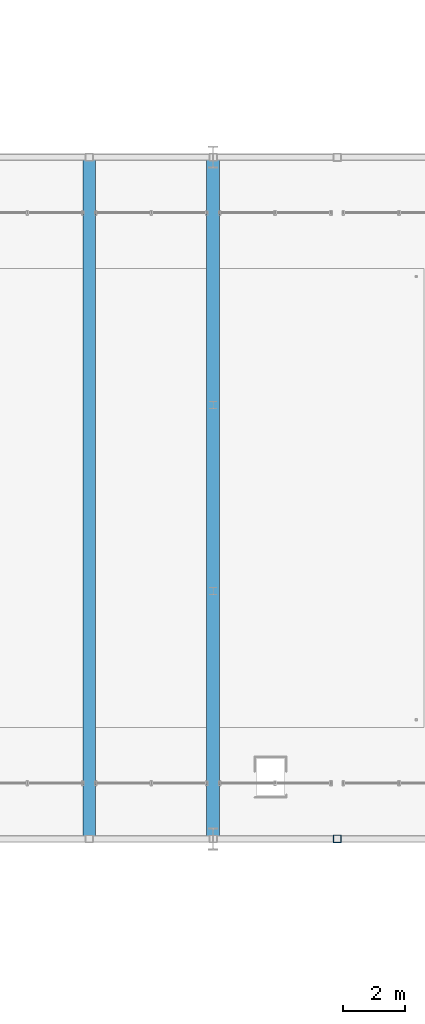
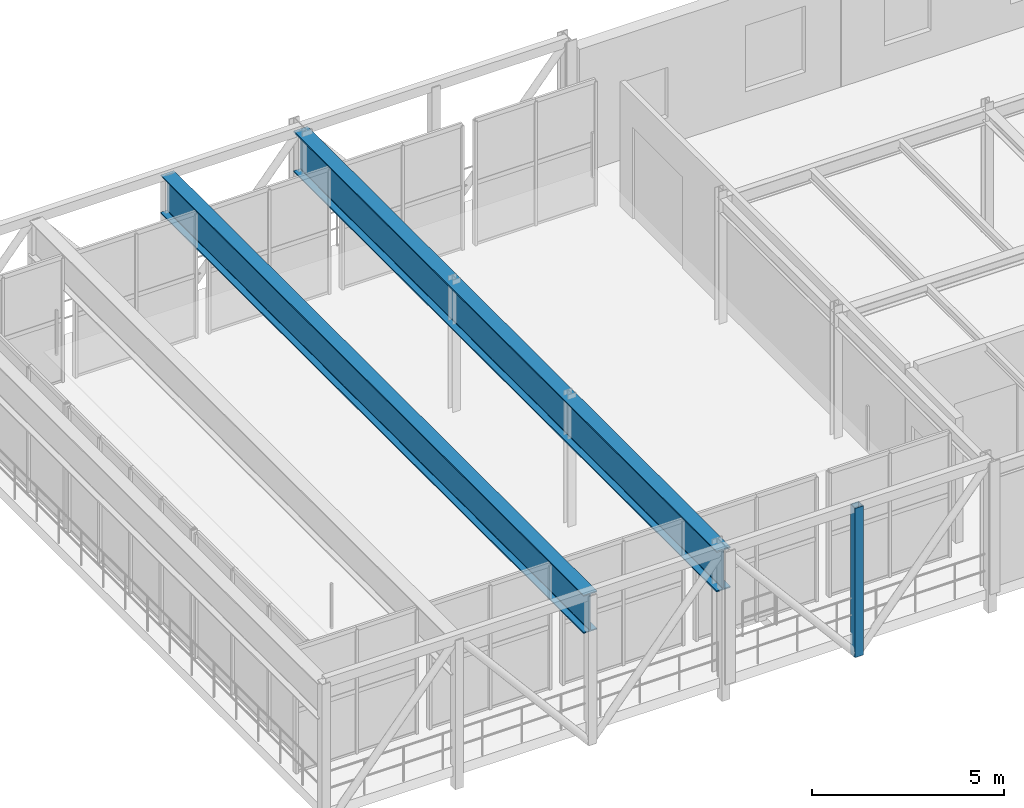
# One storey, part 27 of 124: 2 beams, 1 member.
"""IFC4 building model written with IfcOpenShell, lengths in metres."""

from ifc_helpers import new_model, si_unit, direction, frame, origin, origin_2d, place, context, subcontext, project, spatial, hollow_rectangle, i_section, extrude, material, material_profile, profile_set, type_object, element, save


model = new_model("IFC4")

# Units and contexts
model_context = context("Model", 3, precision=1e-05, world=origin(), true_north=direction((0.0, 1.0)))
body_context = subcontext(model_context, "Body", "Model", "MODEL_VIEW")
ifc_project = project(units=[si_unit("LENGTHUNIT", "METRE"), si_unit("AREAUNIT", "SQUARE_METRE"), si_unit("VOLUMEUNIT", "CUBIC_METRE"), si_unit("PLANEANGLEUNIT", "RADIAN"), si_unit("MASSUNIT", "GRAM", prefix="KILO")], contexts=[model_context])

# Site, building, storey
site_placement = place(None, origin())
site = spatial("IfcSite", under=ifc_project, at=site_placement, CompositionType="ELEMENT")
building_placement = place(site_placement, origin())
building = spatial("IfcBuilding", under=site, at=building_placement, Name="Sundkrona Museum", CompositionType="ELEMENT")
storey_placement = place(building_placement, frame((0.0, 0.0, 17.60009765625)))
storey = spatial("IfcBuildingStorey", under=building, at=storey_placement, Name="L03", CompositionType="ELEMENT", Elevation=17.60009765625)

# Member
ifc_material = material(Name="Steel S460M", Category="steel")
ifc_material_profile_1 = material_profile(ifc_material, hollow_rectangle(XDim=0.25, YDim=0.25, WallThickness=0.012451171875, at=origin_2d()), Name="SHS 250x250x12.5")
ifc_profile_set_1 = profile_set([ifc_material_profile_1], Name="Steel S460M")
member_type = type_object("IfcMemberType", Name="ST-SHS250", PredefinedType="STRUT", material=ifc_profile_set_1)
member_placement = place(storey_placement, frame((20.0, 32.0, -0.68017578125), z_axis=(0.0, 0.0, 1.0), x_axis=(1.0, 0.0, 0.0)))
element("IfcMember", 1, at=member_placement, inside=storey, type_object=member_type, Name="TRS-1 Cantilever Upper Pavilion Post S-5", PredefinedType="STRUT", context=body_context, shape_type="SweptSolid", body=[
    extrude(hollow_rectangle(XDim=0.25, YDim=0.25, WallThickness=0.012451171875, at=origin_2d()), origin(), (0.0, 0.0, 1.0), 4.72998046875),
])

# Beams
ifc_material_profile_2 = material_profile(ifc_material, i_section(OverallWidth=0.39990234375, OverallDepth=1.219970703125, WebThickness=0.01904296875, FlangeThickness=0.035888671875, FilletRadius=0.02392578125, at=origin_2d()), Name="PG 1220x400")
ifc_profile_set_2 = profile_set([ifc_material_profile_2], Name="Steel S460M")
beam_type_1 = type_object("IfcBeamType", Name="TG-HEB800", PredefinedType="USERDEFINED", material=ifc_profile_set_2)
beam_1_placement = place(storey_placement, frame((12.0, 32.0, 3.43994140625), z_axis=(0.0, 1.0, 0.0), x_axis=(-1.0, 0.0, 0.0)))
element("IfcBeam", 2, at=beam_1_placement, inside=storey, type_object=beam_type_1, Name="TG-2 L03 Cantilever Cross Transfer Girder X=12", ObjectType="TRANSFER GIRDER", PredefinedType="USERDEFINED", context=body_context, shape_type="SweptSolid", body=[
    extrude(i_section(OverallWidth=0.39990234375, OverallDepth=1.219970703125, WebThickness=0.01904296875, FlangeThickness=0.035888671875, FilletRadius=0.02392578125, at=origin_2d()), origin(), (0.0, 0.0, 1.0), 22.0),
])
ifc_material_profile_3 = material_profile(ifc_material, i_section(OverallWidth=0.419921875, OverallDepth=1.300048828125, WebThickness=0.02001953125, FlangeThickness=0.0380859375, FilletRadius=0.02392578125, at=origin_2d()), Name="PG 1300x420")
ifc_profile_set_3 = profile_set([ifc_material_profile_3], Name="Steel S460M")
beam_type_2 = type_object("IfcBeamType", Name="TG-HEM900", PredefinedType="USERDEFINED", material=ifc_profile_set_3)
beam_2_placement = place(storey_placement, frame((16.0, 32.0, 3.39990234375), z_axis=(0.0, 1.0, 0.0), x_axis=(-1.0, 0.0, 0.0)))
element("IfcBeam", 3, at=beam_2_placement, inside=storey, type_object=beam_type_2, Name="TG-1 L03 Cantilever Cross Transfer Girder X=16", ObjectType="TRANSFER GIRDER", PredefinedType="USERDEFINED", context=body_context, shape_type="SweptSolid", body=[
    extrude(i_section(OverallWidth=0.419921875, OverallDepth=1.300048828125, WebThickness=0.02001953125, FlangeThickness=0.0380859375, FilletRadius=0.02392578125, at=origin_2d()), origin(), (0.0, 0.0, 1.0), 22.0),
])

save(model, "model.ifc")
